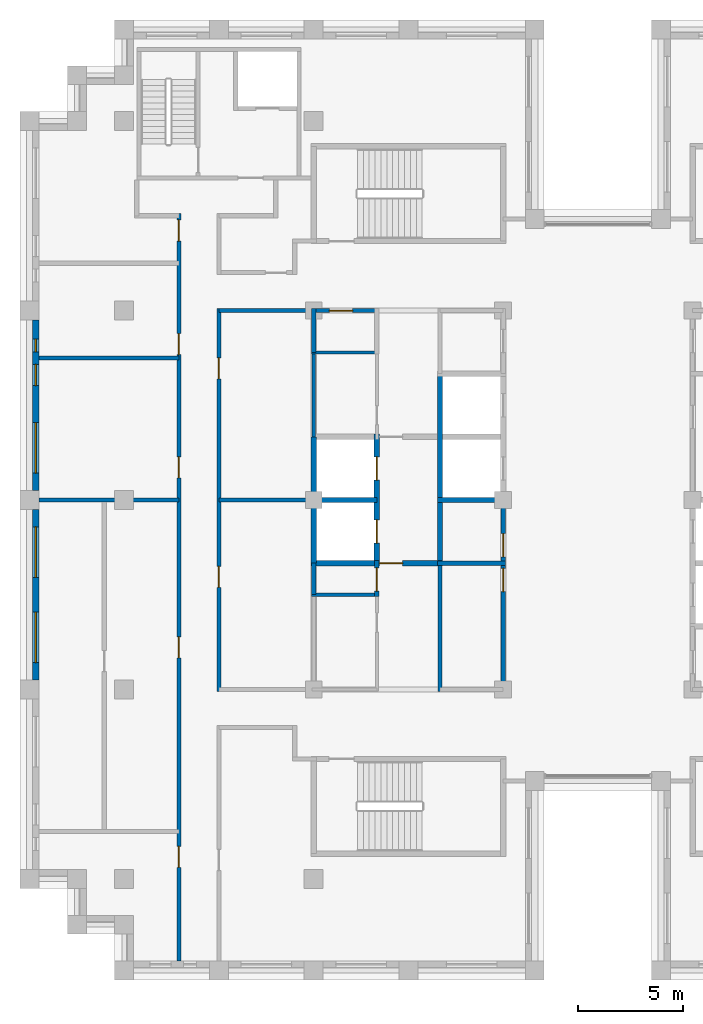
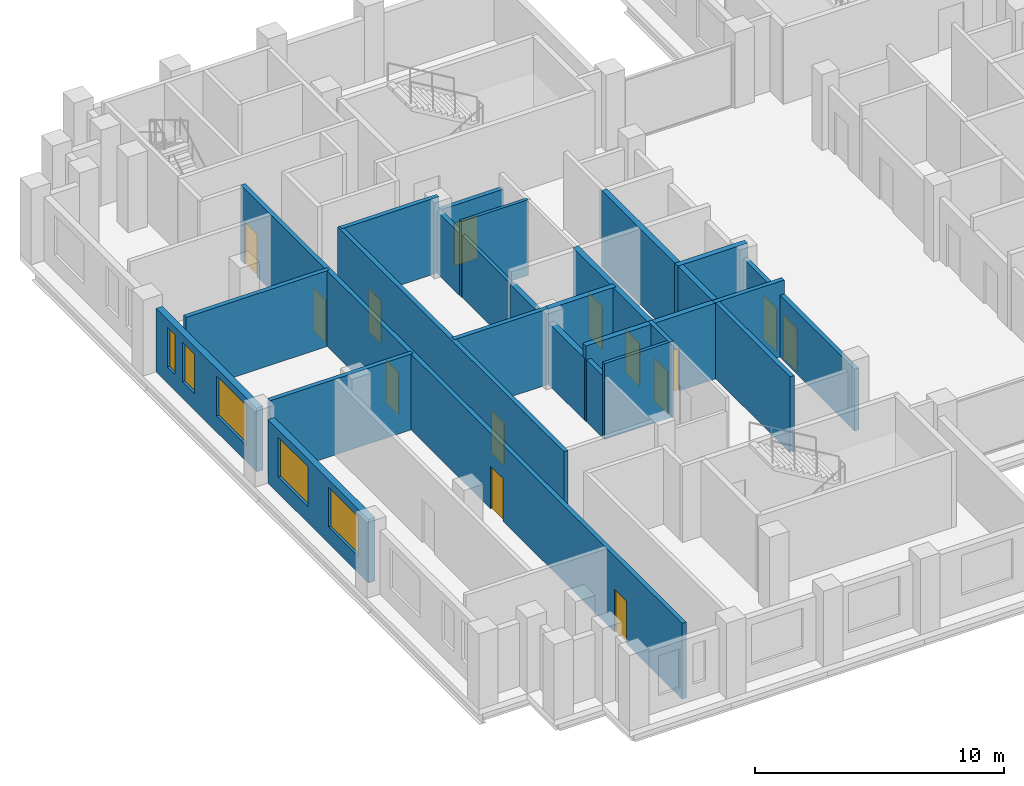
# One storey, part 7 of 13: 24 walls, 14 doors, 5 windows, 19 openings.
"""IFC4 building model written with IfcOpenShell, lengths in metres."""

from ifc_helpers import new_model, si_unit, direction, frame, frame_2d, origin, place, context, subcontext, project, spatial, rectangle, extrude, material, layer, layer_set, type_object, element, fill, save


model = new_model("IFC4")

# Units and contexts
model_context = context("Model", 3, precision=1e-05, world=origin(), true_north=direction((0.0, 1.0)))
body_context = subcontext(model_context, "Body", "Model", "MODEL_VIEW")
ifc_project = project(units=[si_unit("LENGTHUNIT", "METRE"), si_unit("AREAUNIT", "SQUARE_METRE"), si_unit("VOLUMEUNIT", "CUBIC_METRE"), si_unit("PLANEANGLEUNIT", "RADIAN"), si_unit("MASSUNIT", "GRAM", prefix="KILO")], contexts=[model_context])

# Site, building, storey
site_placement = place(None, origin())
site = spatial("IfcSite", under=ifc_project, at=site_placement, CompositionType="ELEMENT")
building_placement = place(site_placement, origin())
building = spatial("IfcBuilding", under=site, at=building_placement, Name="Corbelhall Arena Tower", CompositionType="ELEMENT")
storey_placement = place(building_placement, frame((0.0, 0.0, 266.0)))
storey = spatial("IfcBuildingStorey", under=building, at=storey_placement, Name="L57", CompositionType="ELEMENT", Elevation=266.0)

# Wall, openings, windows
ifc_material_1 = material(Name="Precast concrete C40/50 with granite facing", Category="masonry")
ifc_layer_1 = layer(ifc_material_1, 0.300048828125)
ifc_layer_set_1 = layer_set([ifc_layer_1], Name="EV-IW1 Infill panel 300")
wall_type_1 = type_object("IfcWallType", Name="EV-IW1 Infill panel 300", PredefinedType="SOLIDWALL", material=ifc_layer_set_1)
wall_1_placement = place(storey_placement, frame((-26.699951171875, 8.550048828125, 0.0), z_axis=(0.0, 0.0, 1.0), x_axis=(0.0, -1.0, 0.0)))
wall_1 = element("IfcWall", 1, at=wall_1_placement, inside=storey, type_object=wall_type_1, Name="Infill panel IW1", PredefinedType="SOLIDWALL", context=body_context, shape_type="SweptSolid", body=[
    extrude(rectangle(XDim=8.10009765625, YDim=0.300048828125, at=frame_2d((4.050048828125, 0.0))), origin(), (0.0, 0.0, 1.0), 3.1201171875),
])
opening_1_placement = place(wall_1_placement, frame((4.875, 0.0, 0.800048828125)))
opening_1 = element("IfcOpeningElement", 2, at=opening_1_placement, cuts=wall_1, Name="Opening WN1", PredefinedType="OPENING", context=body_context, shape_type="SweptSolid", body=[
    extrude(rectangle(XDim=2.39990234375, YDim=1.949951171875, at=frame_2d((1.199951171875, 0.97509765625))), frame((0.0, 0.14990234375, 0.0), z_axis=(0.0, -1.0, 0.0), x_axis=(1.0, 0.0, 0.0)), (0.0, 0.0, 1.0), 0.300048828125),
])
opening_2_placement = place(wall_1_placement, frame((0.91259765625, 0.0, 0.800048828125)))
opening_2 = element("IfcOpeningElement", 3, at=opening_2_placement, cuts=wall_1, Name="Opening WN5", PredefinedType="OPENING", context=body_context, shape_type="SweptSolid", body=[
    extrude(rectangle(XDim=0.60009765625, YDim=1.949951171875, at=frame_2d((0.300048828125, 0.97509765625))), frame((0.0, 0.14990234375, 0.0), z_axis=(0.0, -1.0, 0.0), x_axis=(1.0, 0.0, 0.0)), (0.0, 0.0, 1.0), 0.300048828125),
])
opening_3_placement = place(wall_1_placement, frame((2.112548828125, 0.0, 0.800048828125)))
opening_3 = element("IfcOpeningElement", 4, at=opening_3_placement, cuts=wall_1, Name="Opening WN6", PredefinedType="OPENING", context=body_context, shape_type="SweptSolid", body=[
    extrude(rectangle(XDim=1.0, YDim=1.949951171875, at=frame_2d((0.5, 0.97509765625))), frame((0.0, 0.14990234375, 0.0), z_axis=(0.0, -1.0, 0.0), x_axis=(1.0, 0.0, 0.0)), (0.0, 0.0, 1.0), 0.300048828125),
])
ifc_material_2 = material(Name="Aluminium black anodised", Category="aluminium")
window_type_1 = type_object("IfcWindowType", Name="EV-WN1 Office window", PartitioningType="SINGLE_PANEL", PredefinedType="WINDOW", material=ifc_material_2)
window_1_placement = place(opening_1_placement, origin())
window_1 = element("IfcWindow", 5, at=window_1_placement, inside=storey, type_object=window_type_1, Name="Window WN1", OverallHeight=1.949951171875, OverallWidth=2.39990234375, PartitioningType="SINGLE_PANEL", PredefinedType="WINDOW", context=body_context, shape_type="SweptSolid", body=[
    extrude(rectangle(XDim=2.39990234375, YDim=1.949951171875, at=frame_2d((1.199951171875, 0.97509765625))), frame((0.0, 0.030029296875, 0.0), z_axis=(0.0, -1.0, 0.0), x_axis=(1.0, 0.0, 0.0)), (0.0, 0.0, 1.0), 0.06005859375),
])
fill(opening_1, window_1)
window_type_2 = type_object("IfcWindowType", Name="EV-WN5 Office window 600", PartitioningType="SINGLE_PANEL", PredefinedType="WINDOW", material=ifc_material_2)
window_2_placement = place(opening_2_placement, origin())
window_2 = element("IfcWindow", 6, at=window_2_placement, inside=storey, type_object=window_type_2, Name="Window WN5", OverallHeight=1.949951171875, OverallWidth=0.60009765625, PartitioningType="SINGLE_PANEL", PredefinedType="WINDOW", context=body_context, shape_type="SweptSolid", body=[
    extrude(rectangle(XDim=0.60009765625, YDim=1.949951171875, at=frame_2d((0.300048828125, 0.97509765625))), frame((0.0, 0.030029296875, 0.0), z_axis=(0.0, -1.0, 0.0), x_axis=(1.0, 0.0, 0.0)), (0.0, 0.0, 1.0), 0.06005859375),
])
fill(opening_2, window_2)
window_type_3 = type_object("IfcWindowType", Name="EV-WN6 Office window 1000", PartitioningType="SINGLE_PANEL", PredefinedType="WINDOW", material=ifc_material_2)
window_3_placement = place(opening_3_placement, origin())
window_3 = element("IfcWindow", 7, at=window_3_placement, inside=storey, type_object=window_type_3, Name="Window WN6", OverallHeight=1.949951171875, OverallWidth=1.0, PartitioningType="SINGLE_PANEL", PredefinedType="WINDOW", context=body_context, shape_type="SweptSolid", body=[
    extrude(rectangle(XDim=1.0, YDim=1.949951171875, at=frame_2d((0.5, 0.97509765625))), frame((0.0, 0.030029296875, 0.0), z_axis=(0.0, -1.0, 0.0), x_axis=(1.0, 0.0, 0.0)), (0.0, 0.0, 1.0), 0.06005859375),
])
fill(opening_3, window_3)

wall_2_placement = place(storey_placement, frame((-26.699951171875, -0.449951171875, 0.0), z_axis=(0.0, 0.0, 1.0), x_axis=(0.0, -1.0, 0.0)))
wall_2 = element("IfcWall", 8, at=wall_2_placement, inside=storey, type_object=wall_type_1, Name="Infill panel IW1", PredefinedType="SOLIDWALL", context=body_context, shape_type="SweptSolid", body=[
    extrude(rectangle(XDim=8.10009765625, YDim=0.300048828125, at=frame_2d((4.050048828125, 0.0))), origin(), (0.0, 0.0, 1.0), 3.1201171875),
])
opening_4_placement = place(wall_2_placement, frame((0.824951171875, 0.0, 0.800048828125)))
opening_4 = element("IfcOpeningElement", 9, at=opening_4_placement, cuts=wall_2, Name="Opening WN1", PredefinedType="OPENING", context=body_context, shape_type="SweptSolid", body=[
    extrude(rectangle(XDim=2.39990234375, YDim=1.949951171875, at=frame_2d((1.199951171875, 0.97509765625))), frame((0.0, 0.14990234375, 0.0), z_axis=(0.0, -1.0, 0.0), x_axis=(1.0, 0.0, 0.0)), (0.0, 0.0, 1.0), 0.300048828125),
])
opening_5_placement = place(wall_2_placement, frame((4.875, 0.0, 0.800048828125)))
opening_5 = element("IfcOpeningElement", 10, at=opening_5_placement, cuts=wall_2, Name="Opening WN1", PredefinedType="OPENING", context=body_context, shape_type="SweptSolid", body=[
    extrude(rectangle(XDim=2.39990234375, YDim=1.949951171875, at=frame_2d((1.199951171875, 0.97509765625))), frame((0.0, 0.14990234375, 0.0), z_axis=(0.0, -1.0, 0.0), x_axis=(1.0, 0.0, 0.0)), (0.0, 0.0, 1.0), 0.300048828125),
])
window_4_placement = place(opening_4_placement, origin())
window_4 = element("IfcWindow", 11, at=window_4_placement, inside=storey, type_object=window_type_1, Name="Window WN1", OverallHeight=1.949951171875, OverallWidth=2.39990234375, PartitioningType="SINGLE_PANEL", PredefinedType="WINDOW", context=body_context, shape_type="SweptSolid", body=[
    extrude(rectangle(XDim=2.39990234375, YDim=1.949951171875, at=frame_2d((1.199951171875, 0.97509765625))), frame((0.0, 0.030029296875, 0.0), z_axis=(0.0, -1.0, 0.0), x_axis=(1.0, 0.0, 0.0)), (0.0, 0.0, 1.0), 0.06005859375),
])
fill(opening_4, window_4)
window_5_placement = place(opening_5_placement, origin())
window_5 = element("IfcWindow", 12, at=window_5_placement, inside=storey, type_object=window_type_1, Name="Window WN1", OverallHeight=1.949951171875, OverallWidth=2.39990234375, PartitioningType="SINGLE_PANEL", PredefinedType="WINDOW", context=body_context, shape_type="SweptSolid", body=[
    extrude(rectangle(XDim=2.39990234375, YDim=1.949951171875, at=frame_2d((1.199951171875, 0.97509765625))), frame((0.0, 0.030029296875, 0.0), z_axis=(0.0, -1.0, 0.0), x_axis=(1.0, 0.0, 0.0)), (0.0, 0.0, 1.0), 0.06005859375),
])
fill(opening_5, window_5)

# Walls
ifc_material_3 = material(Name="Gypsum board on steel stud, acoustic", Category="steel")
ifc_layer_2 = layer(ifc_material_3, 0.199951171875)
ifc_layer_set_2 = layer_set([ifc_layer_2], Name="IN-W-DM200")
wall_type_2 = type_object("IfcWallType", Name="IN-W-DM200", PredefinedType="PARTITIONING", material=ifc_layer_set_2)
for number, where, z_axis, x_axis, name in (
    (13, (-26.550048828125, 6.75, 0.0), (0.0, 0.0, 1.0), (1.0, 0.0, 0.0), "Partition 002"),
    (14, (-19.89990234375, 0.0, 0.0), (0.0, 0.0, 1.0), (-1.0, 0.0, 0.0), "Partition 005"),
):
    element("IfcWall", number, at=place(storey_placement, frame(where, z_axis=z_axis, x_axis=x_axis)), inside=storey, type_object=wall_type_2, Name=name, PredefinedType="PARTITIONING", context=body_context, shape_type="SweptSolid", body=[
        extrude(rectangle(XDim=6.650146484375, YDim=0.199951171875, at=frame_2d((3.3251953125, 0.0))), origin(), (0.0, 0.0, 1.0), 3.719970703125),
    ])

# Wall, openings, doors
wall_3_placement = place(storey_placement, frame((-19.89990234375, -21.89990234375, 0.0), z_axis=(0.0, 0.0, 1.0), x_axis=(0.0, 1.0, 0.0)))
wall_3 = element("IfcWall", 15, at=wall_3_placement, inside=storey, type_object=wall_type_2, Name="Partition 007", PredefinedType="PARTITIONING", context=body_context, shape_type="SweptSolid", body=[
    extrude(rectangle(XDim=35.5, YDim=0.199951171875, at=frame_2d((17.75, 0.0))), origin(), (0.0, 0.0, 1.0), 3.719970703125),
])
opening_6_placement = place(wall_3_placement, frame((22.949951171875, 0.0, 0.0)))
opening_6 = element("IfcOpeningElement", 16, at=opening_6_placement, cuts=wall_3, Name="Opening 18030", PredefinedType="OPENING", context=body_context, shape_type="SweptSolid", body=[
    extrude(rectangle(XDim=1.0, YDim=2.10009765625, at=frame_2d((0.5, 1.050048828125))), frame((0.0, 0.10009765625, 0.0), z_axis=(0.0, -1.0, 0.0), x_axis=(1.0, 0.0, 0.0)), (0.0, 0.0, 1.0), 0.199951171875),
])
opening_7_placement = place(wall_3_placement, frame((28.800048828125, 0.0, 0.0)))
opening_7 = element("IfcOpeningElement", 17, at=opening_7_placement, cuts=wall_3, Name="Opening 18031", PredefinedType="OPENING", context=body_context, shape_type="SweptSolid", body=[
    extrude(rectangle(XDim=1.0, YDim=2.10009765625, at=frame_2d((0.5, 1.050048828125))), frame((0.0, 0.10009765625, 0.0), z_axis=(0.0, -1.0, 0.0), x_axis=(1.0, 0.0, 0.0)), (0.0, 0.0, 1.0), 0.199951171875),
])
opening_8_placement = place(wall_3_placement, frame((34.199951171875, 0.0, 0.0)))
opening_8 = element("IfcOpeningElement", 18, at=opening_8_placement, cuts=wall_3, Name="Opening 18032", PredefinedType="OPENING", context=body_context, shape_type="SweptSolid", body=[
    extrude(rectangle(XDim=1.0, YDim=2.10009765625, at=frame_2d((0.5, 1.050048828125))), frame((0.0, 0.10009765625, 0.0), z_axis=(0.0, -1.0, 0.0), x_axis=(1.0, 0.0, 0.0)), (0.0, 0.0, 1.0), 0.199951171875),
])
opening_9_placement = place(wall_3_placement, frame((4.449951171875, 0.0, 0.0)))
opening_9 = element("IfcOpeningElement", 19, at=opening_9_placement, cuts=wall_3, Name="Opening 18033", PredefinedType="OPENING", context=body_context, shape_type="SweptSolid", body=[
    extrude(rectangle(XDim=1.0, YDim=2.10009765625, at=frame_2d((0.5, 1.050048828125))), frame((0.0, 0.10009765625, 0.0), z_axis=(0.0, -1.0, 0.0), x_axis=(1.0, 0.0, 0.0)), (0.0, 0.0, 1.0), 0.199951171875),
])
opening_10_placement = place(wall_3_placement, frame((14.39990234375, 0.0, 0.0)))
opening_10 = element("IfcOpeningElement", 20, at=opening_10_placement, cuts=wall_3, Name="Opening 18034", PredefinedType="OPENING", context=body_context, shape_type="SweptSolid", body=[
    extrude(rectangle(XDim=1.0, YDim=2.10009765625, at=frame_2d((0.5, 1.050048828125))), frame((0.0, 0.10009765625, 0.0), z_axis=(0.0, -1.0, 0.0), x_axis=(1.0, 0.0, 0.0)), (0.0, 0.0, 1.0), 0.199951171875),
])
ifc_material_4 = material(Name="Steel door set", Category="steel")
door_type_1 = type_object("IfcDoorType", Name="IN-D-SW100", OperationType="NOTDEFINED", PredefinedType="DOOR", material=ifc_material_4)
door_1_placement = place(opening_6_placement, origin())
door_1 = element("IfcDoor", 21, at=door_1_placement, inside=storey, type_object=door_type_1, Name="Door 030", OperationType="SINGLE_SWING_LEFT", OverallHeight=2.10009765625, OverallWidth=1.0, PredefinedType="DOOR", context=body_context, shape_type="SweptSolid", body=[
    extrude(rectangle(XDim=1.0, YDim=2.10009765625, at=frame_2d((0.5, 1.050048828125))), frame((0.0, 0.02490234375, 0.0), z_axis=(0.0, -1.0, 0.0), x_axis=(1.0, 0.0, 0.0)), (0.0, 0.0, 1.0), 0.050048828125),
])
fill(opening_6, door_1)
door_2_placement = place(opening_7_placement, origin())
door_2 = element("IfcDoor", 22, at=door_2_placement, inside=storey, type_object=door_type_1, Name="Door 031", OperationType="SINGLE_SWING_RIGHT", OverallHeight=2.10009765625, OverallWidth=1.0, PredefinedType="DOOR", context=body_context, shape_type="SweptSolid", body=[
    extrude(rectangle(XDim=1.0, YDim=2.10009765625, at=frame_2d((0.5, 1.050048828125))), frame((0.0, 0.02490234375, 0.0), z_axis=(0.0, -1.0, 0.0), x_axis=(1.0, 0.0, 0.0)), (0.0, 0.0, 1.0), 0.050048828125),
])
fill(opening_7, door_2)
door_3_placement = place(opening_8_placement, origin())
door_3 = element("IfcDoor", 23, at=door_3_placement, inside=storey, type_object=door_type_1, Name="Door 032", OperationType="SINGLE_SWING_LEFT", OverallHeight=2.10009765625, OverallWidth=1.0, PredefinedType="DOOR", context=body_context, shape_type="SweptSolid", body=[
    extrude(rectangle(XDim=1.0, YDim=2.10009765625, at=frame_2d((0.5, 1.050048828125))), frame((0.0, 0.02490234375, 0.0), z_axis=(0.0, -1.0, 0.0), x_axis=(1.0, 0.0, 0.0)), (0.0, 0.0, 1.0), 0.050048828125),
])
fill(opening_8, door_3)
door_4_placement = place(opening_9_placement, origin())
door_4 = element("IfcDoor", 24, at=door_4_placement, inside=storey, type_object=door_type_1, Name="Door 033", OperationType="SINGLE_SWING_RIGHT", OverallHeight=2.10009765625, OverallWidth=1.0, PredefinedType="DOOR", context=body_context, shape_type="SweptSolid", body=[
    extrude(rectangle(XDim=1.0, YDim=2.10009765625, at=frame_2d((0.5, 1.050048828125))), frame((0.0, 0.02490234375, 0.0), z_axis=(0.0, -1.0, 0.0), x_axis=(1.0, 0.0, 0.0)), (0.0, 0.0, 1.0), 0.050048828125),
])
fill(opening_9, door_4)
door_5_placement = place(opening_10_placement, origin())
door_5 = element("IfcDoor", 25, at=door_5_placement, inside=storey, type_object=door_type_1, Name="Door 034", OperationType="SINGLE_SWING_LEFT", OverallHeight=2.10009765625, OverallWidth=1.0, PredefinedType="DOOR", context=body_context, shape_type="SweptSolid", body=[
    extrude(rectangle(XDim=1.0, YDim=2.10009765625, at=frame_2d((0.5, 1.050048828125))), frame((0.0, 0.02490234375, 0.0), z_axis=(0.0, -1.0, 0.0), x_axis=(1.0, 0.0, 0.0)), (0.0, 0.0, 1.0), 0.050048828125),
])
fill(opening_10, door_5)

# Wall
wall_4_placement = place(storey_placement, frame((-18.0, 0.0, 0.0), z_axis=(0.0, 0.0, 1.0), x_axis=(1.0, 0.0, 0.0)))
element("IfcWall", 26, at=wall_4_placement, inside=storey, type_object=wall_type_2, Name="Partition 011", PredefinedType="PARTITIONING", context=body_context, shape_type="SweptSolid", body=[
    extrude(rectangle(XDim=4.5, YDim=0.199951171875, at=frame_2d((2.25, 0.0))), origin(), (0.0, 0.0, 1.0), 3.719970703125),
])

# Wall, openings, doors
wall_5_placement = place(storey_placement, frame((-18.0, 9.10009765625, 0.0), z_axis=(0.0, 0.0, 1.0), x_axis=(0.0, -1.0, 0.0)))
wall_5 = element("IfcWall", 27, at=wall_5_placement, inside=storey, type_object=wall_type_2, Name="Partition 012", PredefinedType="PARTITIONING", context=body_context, shape_type="SweptSolid", body=[
    extrude(rectangle(XDim=18.2001953125, YDim=0.199951171875, at=frame_2d((9.10009765625, 0.0))), origin(), (0.0, 0.0, 1.0), 3.719970703125),
])
opening_11_placement = place(wall_5_placement, frame((12.25, 0.0, 0.0)))
opening_11 = element("IfcOpeningElement", 28, at=opening_11_placement, cuts=wall_5, Name="Opening 18022", PredefinedType="OPENING", context=body_context, shape_type="SweptSolid", body=[
    extrude(rectangle(XDim=1.0, YDim=2.10009765625, at=frame_2d((0.5, 1.050048828125))), frame((0.0, 0.10009765625, 0.0), z_axis=(0.0, -1.0, 0.0), x_axis=(1.0, 0.0, 0.0)), (0.0, 0.0, 1.0), 0.199951171875),
])
opening_12_placement = place(wall_5_placement, frame((2.35009765625, 0.0, 0.0)))
opening_12 = element("IfcOpeningElement", 29, at=opening_12_placement, cuts=wall_5, Name="Opening 18023", PredefinedType="OPENING", context=body_context, shape_type="SweptSolid", body=[
    extrude(rectangle(XDim=1.0, YDim=2.10009765625, at=frame_2d((0.5, 1.050048828125))), frame((0.0, 0.10009765625, 0.0), z_axis=(0.0, -1.0, 0.0), x_axis=(1.0, 0.0, 0.0)), (0.0, 0.0, 1.0), 0.199951171875),
])
door_6_placement = place(opening_11_placement, origin())
door_6 = element("IfcDoor", 30, at=door_6_placement, inside=storey, type_object=door_type_1, Name="Door 022", OperationType="SINGLE_SWING_LEFT", OverallHeight=2.10009765625, OverallWidth=1.0, PredefinedType="DOOR", context=body_context, shape_type="SweptSolid", body=[
    extrude(rectangle(XDim=1.0, YDim=2.10009765625, at=frame_2d((0.5, 1.050048828125))), frame((0.0, 0.02490234375, 0.0), z_axis=(0.0, -1.0, 0.0), x_axis=(1.0, 0.0, 0.0)), (0.0, 0.0, 1.0), 0.050048828125),
])
fill(opening_11, door_6)
door_7_placement = place(opening_12_placement, origin())
door_7 = element("IfcDoor", 31, at=door_7_placement, inside=storey, type_object=door_type_1, Name="Door 023", OperationType="SINGLE_SWING_RIGHT", OverallHeight=2.10009765625, OverallWidth=1.0, PredefinedType="DOOR", context=body_context, shape_type="SweptSolid", body=[
    extrude(rectangle(XDim=1.0, YDim=2.10009765625, at=frame_2d((0.5, 1.050048828125))), frame((0.0, 0.02490234375, 0.0), z_axis=(0.0, -1.0, 0.0), x_axis=(1.0, 0.0, 0.0)), (0.0, 0.0, 1.0), 0.050048828125),
])
fill(opening_12, door_7)

# Wall
wall_6_placement = place(storey_placement, frame((-13.5, 9.0, 0.0), z_axis=(0.0, 0.0, 1.0), x_axis=(-1.0, 0.0, 0.0)))
element("IfcWall", 32, at=wall_6_placement, inside=storey, type_object=wall_type_2, Name="Partition 020", PredefinedType="PARTITIONING", context=body_context, shape_type="SweptSolid", body=[
    extrude(rectangle(XDim=4.5, YDim=0.199951171875, at=frame_2d((2.25, 0.0))), origin(), (0.0, 0.0, 1.0), 3.719970703125),
])

# Wall, opening, door
ifc_material_5 = material(Name="Concrete block wall", Category="concrete")
ifc_layer_3 = layer(ifc_material_5, 0.199951171875)
ifc_layer_set_3 = layer_set([ifc_layer_3], Name="IN-W-RS200")
wall_type_3 = type_object("IfcWallType", Name="IN-W-RS200", PredefinedType="SOLIDWALL", material=ifc_layer_set_3)
wall_7_placement = place(storey_placement, frame((-10.5, -4.574951171875, 0.0), z_axis=(0.0, 0.0, 1.0), x_axis=(0.0, 1.0, 0.0)))
wall_7 = element("IfcWall", 33, at=wall_7_placement, inside=storey, type_object=wall_type_3, Name="Partition 046", PredefinedType="SOLIDWALL", context=body_context, shape_type="SweptSolid", body=[
    extrude(rectangle(XDim=1.699951171875, YDim=0.199951171875, at=frame_2d((0.85009765625, 0.0))), origin(), (0.0, 0.0, 1.0), 3.719970703125),
])
opening_13_placement = place(wall_7_placement, frame((0.25, 0.0, 0.0)))
opening_13 = element("IfcOpeningElement", 34, at=opening_13_placement, cuts=wall_7, Name="Opening 18007", PredefinedType="OPENING", context=body_context, shape_type="SweptSolid", body=[
    extrude(rectangle(XDim=1.10009765625, YDim=2.10009765625, at=frame_2d((0.550048828125, 1.050048828125))), frame((0.0, 0.10009765625, 0.0), z_axis=(0.0, -1.0, 0.0), x_axis=(1.0, 0.0, 0.0)), (0.0, 0.0, 1.0), 0.199951171875),
])
door_type_2 = type_object("IfcDoorType", Name="IN-D-FD110", OperationType="NOTDEFINED", PredefinedType="DOOR", material=ifc_material_4)
door_8_placement = place(opening_13_placement, origin())
door_8 = element("IfcDoor", 35, at=door_8_placement, inside=storey, type_object=door_type_2, Name="Door 007", OperationType="SINGLE_SWING_RIGHT", OverallHeight=2.10009765625, OverallWidth=1.10009765625, PredefinedType="DOOR", context=body_context, shape_type="SweptSolid", body=[
    extrude(rectangle(XDim=1.10009765625, YDim=2.10009765625, at=frame_2d((0.550048828125, 1.050048828125))), frame((0.0, 0.02490234375, 0.0), z_axis=(0.0, -1.0, 0.0), x_axis=(1.0, 0.0, 0.0)), (0.0, 0.0, 1.0), 0.050048828125),
])
fill(opening_13, door_8)

# Walls
wall_8_placement = place(storey_placement, frame((-7.625, -3.0, 0.0), z_axis=(0.0, 0.0, 1.0), x_axis=(1.0, 0.0, 0.0)))
element("IfcWall", 36, at=wall_8_placement, inside=storey, type_object=wall_type_3, Name="Partition 048", PredefinedType="SOLIDWALL", context=body_context, shape_type="SweptSolid", body=[
    extrude(rectangle(XDim=3.22509765625, YDim=0.199951171875, at=frame_2d((1.612548828125, 0.0))), origin(), (0.0, 0.0, 1.0), 3.719970703125),
])
wall_9_placement = place(storey_placement, frame((-7.5, -9.10009765625, 0.0), z_axis=(0.0, 0.0, 1.0), x_axis=(0.0, 1.0, 0.0)))
element("IfcWall", 37, at=wall_9_placement, inside=storey, type_object=wall_type_3, Name="Partition 049", PredefinedType="SOLIDWALL", context=body_context, shape_type="SweptSolid", body=[
    extrude(rectangle(XDim=6.22509765625, YDim=0.199951171875, at=frame_2d((3.112548828125, 0.0))), origin(), (0.0, 0.0, 1.0), 3.719970703125),
])

# Wall, opening, door
ifc_layer_4 = layer(ifc_material_5, 0.199951171875)
ifc_layer_set_4 = layer_set([ifc_layer_4], Name="IN-W-RS200 under beam 678 mm")
wall_type_4 = type_object("IfcWallType", Name="IN-W-RS200 under beam 678 mm", PredefinedType="SOLIDWALL", material=ifc_layer_set_4)
wall_10_placement = place(storey_placement, frame((-13.60009765625, 9.0, 0.0), z_axis=(0.0, 0.0, 1.0), x_axis=(1.0, 0.0, 0.0)))
wall_10 = element("IfcWall", 38, at=wall_10_placement, inside=storey, type_object=wall_type_4, Name="Partition 043", PredefinedType="SOLIDWALL", context=body_context, shape_type="SweptSolid", body=[
    extrude(rectangle(XDim=3.10009765625, YDim=0.199951171875, at=frame_2d((1.550048828125, 0.0))), origin(), (0.0, 0.0, 1.0), 3.041748046875),
])
opening_14_placement = place(wall_10_placement, frame((0.85009765625, 0.0, 0.0)))
opening_14 = element("IfcOpeningElement", 39, at=opening_14_placement, cuts=wall_10, Name="Opening 18009", PredefinedType="OPENING", context=body_context, shape_type="SweptSolid", body=[
    extrude(rectangle(XDim=1.10009765625, YDim=2.10009765625, at=frame_2d((0.550048828125, 1.050048828125))), frame((0.0, 0.10009765625, 0.0), z_axis=(0.0, -1.0, 0.0), x_axis=(1.0, 0.0, 0.0)), (0.0, 0.0, 1.0), 0.199951171875),
])
door_9_placement = place(opening_14_placement, origin())
door_9 = element("IfcDoor", 40, at=door_9_placement, inside=storey, type_object=door_type_2, Name="Door 009", OperationType="SINGLE_SWING_RIGHT", OverallHeight=2.10009765625, OverallWidth=1.10009765625, PredefinedType="DOOR", context=body_context, shape_type="SweptSolid", body=[
    extrude(rectangle(XDim=1.10009765625, YDim=2.10009765625, at=frame_2d((0.550048828125, 1.050048828125))), frame((0.0, 0.02490234375, 0.0), z_axis=(0.0, -1.0, 0.0), x_axis=(1.0, 0.0, 0.0)), (0.0, 0.0, 1.0), 0.050048828125),
])
fill(opening_14, door_9)

# Walls
wall_11_placement = place(storey_placement, frame((-13.5, -4.5, 0.0), z_axis=(0.0, 0.0, 1.0), x_axis=(0.0, 1.0, 0.0)))
element("IfcWall", 41, at=wall_11_placement, inside=storey, type_object=wall_type_4, Name="Partition 044", PredefinedType="SOLIDWALL", context=body_context, shape_type="SweptSolid", body=[
    extrude(rectangle(XDim=1.5, YDim=0.199951171875, at=frame_2d((0.75, 0.0))), origin(), (0.0, 0.0, 1.0), 3.041748046875),
])
wall_12_placement = place(storey_placement, frame((-13.5, 7.0, 0.0), z_axis=(0.0, 0.0, 1.0), x_axis=(0.0, 1.0, 0.0)))
element("IfcWall", 42, at=wall_12_placement, inside=storey, type_object=wall_type_4, Name="Partition 045", PredefinedType="SOLIDWALL", context=body_context, shape_type="SweptSolid", body=[
    extrude(rectangle(XDim=2.10009765625, YDim=0.199951171875, at=frame_2d((1.050048828125, 0.0))), origin(), (0.0, 0.0, 1.0), 3.041748046875),
])

# Wall, openings, doors
wall_13_placement = place(storey_placement, frame((-4.5, 0.0, 0.0), z_axis=(0.0, 0.0, 1.0), x_axis=(0.0, -1.0, 0.0)))
wall_13 = element("IfcWall", 43, at=wall_13_placement, inside=storey, type_object=wall_type_4, Name="Partition 053", PredefinedType="SOLIDWALL", context=body_context, shape_type="SweptSolid", body=[
    extrude(rectangle(XDim=9.10009765625, YDim=0.199951171875, at=frame_2d((4.550048828125, 0.0))), origin(), (0.0, 0.0, 1.0), 3.041748046875),
])
opening_15_placement = place(wall_13_placement, frame((3.25, 0.0, 0.0)))
opening_15 = element("IfcOpeningElement", 44, at=opening_15_placement, cuts=wall_13, Name="Opening 18001", PredefinedType="OPENING", context=body_context, shape_type="SweptSolid", body=[
    extrude(rectangle(XDim=1.10009765625, YDim=2.10009765625, at=frame_2d((0.550048828125, 1.050048828125))), frame((0.0, 0.10009765625, 0.0), z_axis=(0.0, -1.0, 0.0), x_axis=(1.0, 0.0, 0.0)), (0.0, 0.0, 1.0), 0.199951171875),
])
opening_16_placement = place(wall_13_placement, frame((1.60009765625, 0.0, 0.0)))
opening_16 = element("IfcOpeningElement", 45, at=opening_16_placement, cuts=wall_13, Name="Opening 18002", PredefinedType="OPENING", context=body_context, shape_type="SweptSolid", body=[
    extrude(rectangle(XDim=1.10009765625, YDim=2.10009765625, at=frame_2d((0.550048828125, 1.050048828125))), frame((0.0, 0.10009765625, 0.0), z_axis=(0.0, -1.0, 0.0), x_axis=(1.0, 0.0, 0.0)), (0.0, 0.0, 1.0), 0.199951171875),
])
door_10_placement = place(opening_15_placement, origin())
door_10 = element("IfcDoor", 46, at=door_10_placement, inside=storey, type_object=door_type_2, Name="Door 001", OperationType="SINGLE_SWING_RIGHT", OverallHeight=2.10009765625, OverallWidth=1.10009765625, PredefinedType="DOOR", context=body_context, shape_type="SweptSolid", body=[
    extrude(rectangle(XDim=1.10009765625, YDim=2.10009765625, at=frame_2d((0.550048828125, 1.050048828125))), frame((0.0, 0.02490234375, 0.0), z_axis=(0.0, -1.0, 0.0), x_axis=(1.0, 0.0, 0.0)), (0.0, 0.0, 1.0), 0.050048828125),
])
fill(opening_15, door_10)
door_11_placement = place(opening_16_placement, origin())
door_11 = element("IfcDoor", 47, at=door_11_placement, inside=storey, type_object=door_type_2, Name="Door 002", OperationType="SINGLE_SWING_LEFT", OverallHeight=2.10009765625, OverallWidth=1.10009765625, PredefinedType="DOOR", context=body_context, shape_type="SweptSolid", body=[
    extrude(rectangle(XDim=1.10009765625, YDim=2.10009765625, at=frame_2d((0.550048828125, 1.050048828125))), frame((0.0, 0.02490234375, 0.0), z_axis=(0.0, -1.0, 0.0), x_axis=(1.0, 0.0, 0.0)), (0.0, 0.0, 1.0), 0.050048828125),
])
fill(opening_16, door_11)

# Wall
ifc_material_6 = material(Name="Concrete C40/50", Category="concrete")
ifc_layer_5 = layer(ifc_material_6, 0.25)
ifc_layer_set_5 = layer_set([ifc_layer_5], Name="IN-W-SH250")
wall_type_5 = type_object("IfcWallType", Name="IN-W-SH250", PredefinedType="SOLIDWALL", material=ifc_layer_set_5)
wall_14_placement = place(storey_placement, frame((-13.625, 0.0, 0.0), z_axis=(0.0, 0.0, 1.0), x_axis=(1.0, 0.0, 0.0)))
element("IfcWall", 48, at=wall_14_placement, inside=storey, type_object=wall_type_5, Name="Shaft wall 067", PredefinedType="SOLIDWALL", context=body_context, shape_type="SweptSolid", body=[
    extrude(rectangle(XDim=3.125, YDim=0.25, at=frame_2d((1.5625, 0.0))), origin(), (0.0, 0.0, 1.0), 3.719970703125),
])

# Wall, opening, door
wall_15_placement = place(storey_placement, frame((-13.625, -3.0, 0.0), z_axis=(0.0, 0.0, 1.0), x_axis=(1.0, 0.0, 0.0)))
wall_15 = element("IfcWall", 49, at=wall_15_placement, inside=storey, type_object=wall_type_5, Name="Shaft wall 070", PredefinedType="SOLIDWALL", context=body_context, shape_type="SweptSolid", body=[
    extrude(rectangle(XDim=6.125, YDim=0.25, at=frame_2d((3.0625, 0.0))), origin(), (0.0, 0.0, 1.0), 3.719970703125),
])
opening_17_placement = place(wall_15_placement, frame((3.25, 0.0, 0.0)))
opening_17 = element("IfcOpeningElement", 50, at=opening_17_placement, cuts=wall_15, Name="Opening 18004", PredefinedType="OPENING", context=body_context, shape_type="SweptSolid", body=[
    extrude(rectangle(XDim=1.10009765625, YDim=2.10009765625, at=frame_2d((0.550048828125, 1.050048828125))), frame((0.0, 0.125, 0.0), z_axis=(0.0, -1.0, 0.0), x_axis=(1.0, 0.0, 0.0)), (0.0, 0.0, 1.0), 0.25),
])
door_12_placement = place(opening_17_placement, origin())
door_12 = element("IfcDoor", 51, at=door_12_placement, inside=storey, type_object=door_type_2, Name="Door 004", OperationType="SINGLE_SWING_LEFT", OverallHeight=2.10009765625, OverallWidth=1.10009765625, PredefinedType="DOOR", context=body_context, shape_type="SweptSolid", body=[
    extrude(rectangle(XDim=1.10009765625, YDim=2.10009765625, at=frame_2d((0.550048828125, 1.050048828125))), frame((0.0, 0.02490234375, 0.0), z_axis=(0.0, -1.0, 0.0), x_axis=(1.0, 0.0, 0.0)), (0.0, 0.0, 1.0), 0.050048828125),
])
fill(opening_17, door_12)

# Wall, openings, doors
wall_16_placement = place(storey_placement, frame((-10.5, -3.125, 0.0), z_axis=(0.0, 0.0, 1.0), x_axis=(0.0, 1.0, 0.0)))
wall_16 = element("IfcWall", 52, at=wall_16_placement, inside=storey, type_object=wall_type_5, Name="Shaft wall 071", PredefinedType="SOLIDWALL", context=body_context, shape_type="SweptSolid", body=[
    extrude(rectangle(XDim=6.25, YDim=0.25, at=frame_2d((3.125, 0.0))), origin(), (0.0, 0.0, 1.0), 3.719970703125),
])
opening_18_placement = place(wall_16_placement, frame((1.074951171875, 0.0, 0.0)))
opening_18 = element("IfcOpeningElement", 53, at=opening_18_placement, cuts=wall_16, Name="Opening LD", PredefinedType="OPENING", context=body_context, shape_type="SweptSolid", body=[
    extrude(rectangle(XDim=1.10009765625, YDim=2.10009765625, at=frame_2d((0.550048828125, 1.050048828125))), frame((0.0, 0.125, 0.0), z_axis=(0.0, -1.0, 0.0), x_axis=(1.0, 0.0, 0.0)), (0.0, 0.0, 1.0), 0.25),
])
opening_19_placement = place(wall_16_placement, frame((4.074951171875, 0.0, 0.0)))
opening_19 = element("IfcOpeningElement", 54, at=opening_19_placement, cuts=wall_16, Name="Opening LD", PredefinedType="OPENING", context=body_context, shape_type="SweptSolid", body=[
    extrude(rectangle(XDim=1.10009765625, YDim=2.10009765625, at=frame_2d((0.550048828125, 1.050048828125))), frame((0.0, 0.125, 0.0), z_axis=(0.0, -1.0, 0.0), x_axis=(1.0, 0.0, 0.0)), (0.0, 0.0, 1.0), 0.25),
])
door_type_3 = type_object("IfcDoorType", Name="IN-D-LD110", OperationType="NOTDEFINED", PredefinedType="DOOR", material=ifc_material_4)
door_13_placement = place(opening_18_placement, origin())
door_13 = element("IfcDoor", 55, at=door_13_placement, inside=storey, type_object=door_type_3, Name="Landing door W3", OperationType="SLIDING_TO_LEFT", OverallHeight=2.10009765625, OverallWidth=1.10009765625, PredefinedType="DOOR", context=body_context, shape_type="SweptSolid", body=[
    extrude(rectangle(XDim=1.10009765625, YDim=2.10009765625, at=frame_2d((0.550048828125, 1.050048828125))), frame((0.0, 0.02490234375, 0.0), z_axis=(0.0, -1.0, 0.0), x_axis=(1.0, 0.0, 0.0)), (0.0, 0.0, 1.0), 0.050048828125),
])
fill(opening_18, door_13)
door_14_placement = place(opening_19_placement, origin())
door_14 = element("IfcDoor", 56, at=door_14_placement, inside=storey, type_object=door_type_3, Name="Landing door W4", OperationType="SLIDING_TO_LEFT", OverallHeight=2.10009765625, OverallWidth=1.10009765625, PredefinedType="DOOR", context=body_context, shape_type="SweptSolid", body=[
    extrude(rectangle(XDim=1.10009765625, YDim=2.10009765625, at=frame_2d((0.550048828125, 1.050048828125))), frame((0.0, 0.02490234375, 0.0), z_axis=(0.0, -1.0, 0.0), x_axis=(1.0, 0.0, 0.0)), (0.0, 0.0, 1.0), 0.050048828125),
])
fill(opening_19, door_14)

# Walls
wall_17_placement = place(storey_placement, frame((-7.625, 0.0, 0.0), z_axis=(0.0, 0.0, 1.0), x_axis=(1.0, 0.0, 0.0)))
element("IfcWall", 57, at=wall_17_placement, inside=storey, type_object=wall_type_5, Name="Shaft wall 072", PredefinedType="SOLIDWALL", context=body_context, shape_type="SweptSolid", body=[
    extrude(rectangle(XDim=3.25, YDim=0.25, at=frame_2d((1.625, 0.0))), origin(), (0.0, 0.0, 1.0), 3.719970703125),
])
wall_18_placement = place(storey_placement, frame((-7.5, -3.125, 0.0), z_axis=(0.0, 0.0, 1.0), x_axis=(0.0, 1.0, 0.0)))
element("IfcWall", 58, at=wall_18_placement, inside=storey, type_object=wall_type_5, Name="Shaft wall 074", PredefinedType="SOLIDWALL", context=body_context, shape_type="SweptSolid", body=[
    extrude(rectangle(XDim=9.125, YDim=0.25, at=frame_2d((4.5625, 0.0))), origin(), (0.0, 0.0, 1.0), 3.719970703125),
])
ifc_layer_6 = layer(ifc_material_6, 0.25)
ifc_layer_set_6 = layer_set([ifc_layer_6], Name="IN-W-SH250 under beam 678 mm")
wall_type_6 = type_object("IfcWallType", Name="IN-W-SH250 under beam 678 mm", PredefinedType="SOLIDWALL", material=ifc_layer_set_6)
wall_19_placement = place(storey_placement, frame((-13.5, -3.0, 0.0), z_axis=(0.0, 0.0, 1.0), x_axis=(0.0, 1.0, 0.0)))
element("IfcWall", 59, at=wall_19_placement, inside=storey, type_object=wall_type_6, Name="Shaft wall 069", PredefinedType="SOLIDWALL", context=body_context, shape_type="SweptSolid", body=[
    extrude(rectangle(XDim=6.0, YDim=0.25, at=frame_2d((3.0, 0.0))), origin(), (0.0, 0.0, 1.0), 3.041748046875),
])
ifc_material_7 = material(Name="Gypsum board on steel stud, moisture resistant", Category="steel")
ifc_layer_7 = layer(ifc_material_7, 0.14990234375)
ifc_layer_set_7 = layer_set([ifc_layer_7], Name="IN-W-WC150")
wall_type_7 = type_object("IfcWallType", Name="IN-W-WC150", PredefinedType="PARTITIONING", material=ifc_layer_set_7)
for number, where, z_axis, x_axis, name in (
    (60, (-13.60009765625, -4.5, 0.0), (0.0, 0.0, 1.0), (1.0, 0.0, 0.0), "Partition 102"),
    (61, (-13.60009765625, 7.0, 0.0), (0.0, 0.0, 1.0), (1.0, 0.0, 0.0), "Partition 103"),
):
    element("IfcWall", number, at=place(storey_placement, frame(where, z_axis=z_axis, x_axis=x_axis)), inside=storey, type_object=wall_type_7, Name=name, PredefinedType="PARTITIONING", context=body_context, shape_type="SweptSolid", body=[
        extrude(rectangle(XDim=3.10009765625, YDim=0.14990234375, at=frame_2d((1.550048828125, 0.0))), origin(), (0.0, 0.0, 1.0), 3.719970703125),
    ])
ifc_layer_8 = layer(ifc_material_7, 0.14990234375)
ifc_layer_set_8 = layer_set([ifc_layer_8], Name="IN-W-WC150 under beam 678 mm")
wall_type_8 = type_object("IfcWallType", Name="IN-W-WC150 under beam 678 mm", PredefinedType="PARTITIONING", material=ifc_layer_set_8)
wall_20_placement = place(storey_placement, frame((-13.5, 3.0, 0.0), z_axis=(0.0, 0.0, 1.0), x_axis=(0.0, 1.0, 0.0)))
element("IfcWall", 62, at=wall_20_placement, inside=storey, type_object=wall_type_8, Name="Partition 105", PredefinedType="PARTITIONING", context=body_context, shape_type="SweptSolid", body=[
    extrude(rectangle(XDim=4.0, YDim=0.14990234375, at=frame_2d((2.0, 0.0))), origin(), (0.0, 0.0, 1.0), 3.041748046875),
])

save(model, "model.ifc")
